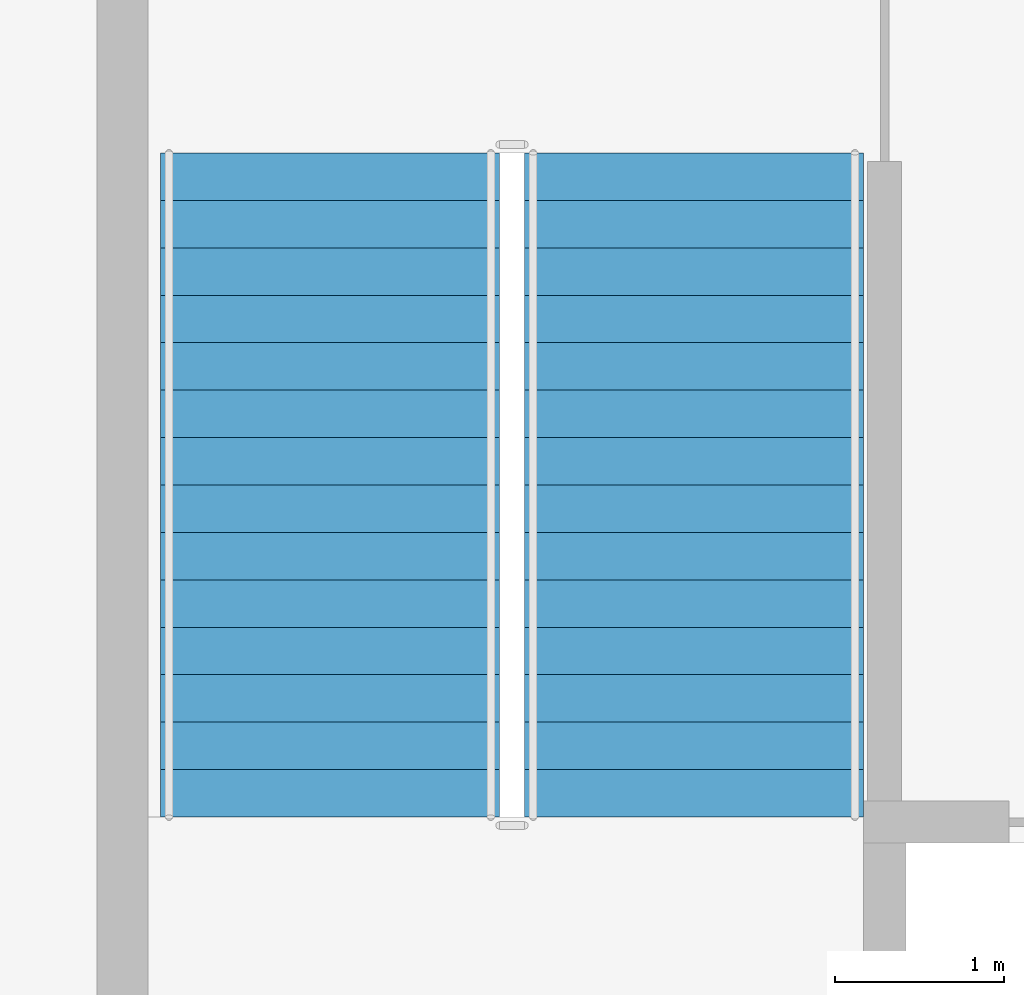
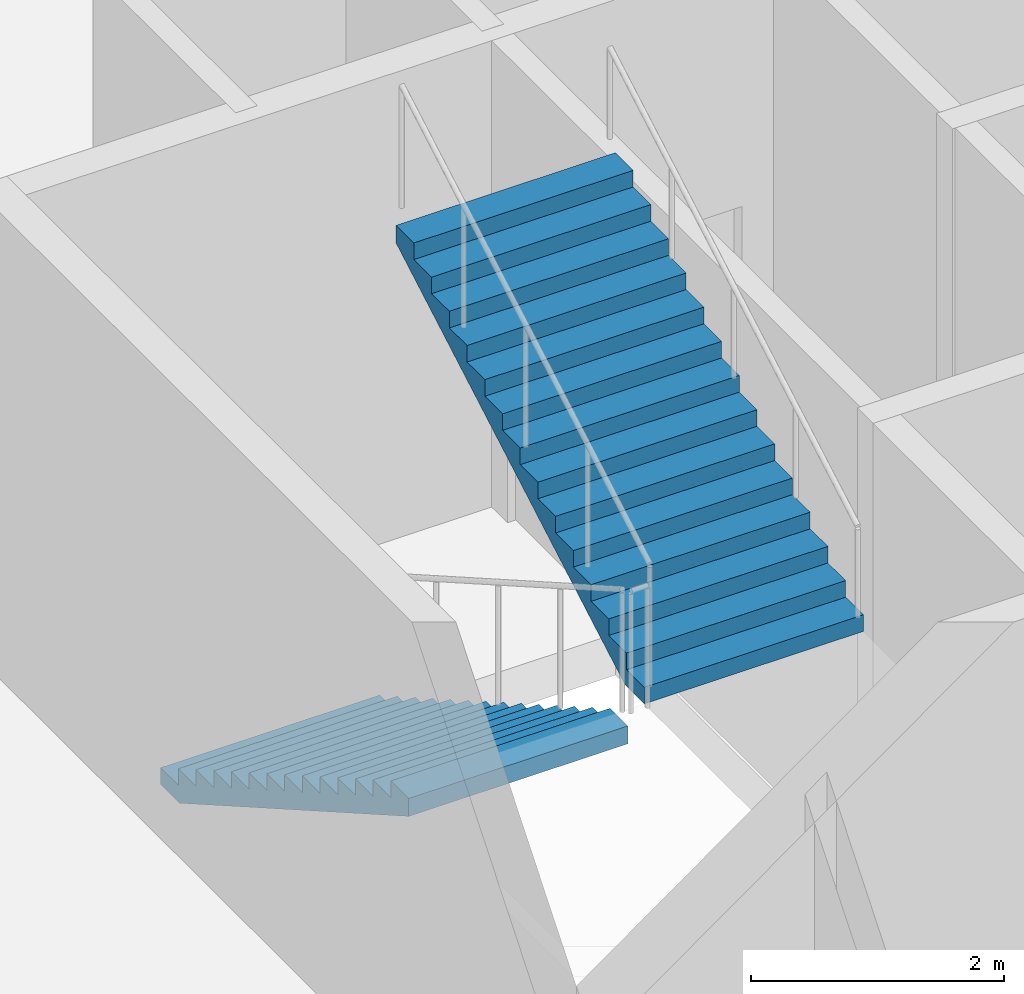
# One storey, part 5 of 10: 2 stair flights, 1 element without a shape of its own.
"""IFC4 building model written with IfcOpenShell, lengths in metres."""

from ifc_helpers import new_model, si_unit, direction, frame, origin, place, context, subcontext, project, spatial, polygons, material, type_object, element, aggregate, save


model = new_model("IFC4")

# Units and contexts
model_context = context("Model", 3, precision=1e-05, world=origin(), true_north=direction((0.0, 1.0)))
body_context = subcontext(model_context, "Body", "Model", "MODEL_VIEW")
ifc_project = project(units=[si_unit("LENGTHUNIT", "METRE"), si_unit("AREAUNIT", "SQUARE_METRE"), si_unit("VOLUMEUNIT", "CUBIC_METRE"), si_unit("PLANEANGLEUNIT", "RADIAN"), si_unit("MASSUNIT", "GRAM", prefix="KILO")], contexts=[model_context])

# Site, building, storey
site_placement = place(None, origin())
site = spatial("IfcSite", under=ifc_project, at=site_placement, CompositionType="ELEMENT")
building_placement = place(site_placement, origin())
building = spatial("IfcBuilding", under=site, at=building_placement, Name="Caravel Reach Hotel and Residences", CompositionType="ELEMENT")
storey_placement = place(building_placement, frame((0.0, 0.0, 233.10009765625)))
storey = spatial("IfcBuildingStorey", under=building, at=storey_placement, Name="L59", CompositionType="ELEMENT", Elevation=233.10009765625)

# Stair, stair flights
ifc_material_1 = material(Name="Concrete C40", Category="concrete")
stair_type = type_object("IfcStairType", Name="Core stair", PredefinedType="HALF_TURN_STAIR", material=ifc_material_1)
stair_placement = place(storey_placement, origin())
stair = element("IfcStair", 1, at=stair_placement, inside=storey, type_object=stair_type, Name="L59 Exit stair A", PredefinedType="HALF_TURN_STAIR")
ifc_material_2 = material(Name="Concrete C40", Category="concrete")
stair_flight_type = type_object("IfcStairFlightType", Name="Core stair flight", PredefinedType="STRAIGHT", material=ifc_material_2)
stair_flight_1_placement = place(storey_placement, frame((19.22509765625, 29.35009765625, 0.0), z_axis=(0.0, 0.0, 1.0), x_axis=(0.0, -1.0, 0.0)))
stair_flight_1 = element("IfcStairFlight", 2, at=stair_flight_1_placement, type_object=stair_flight_type, Name="ST-A flight 1", NumberOfRisers=15, NumberOfTreads=14, PredefinedType="STRAIGHT", RiserHeight=0.16, TreadLength=0.28, context=body_context, shape_type="Tessellation", body=[
    polygons([(0.30213783309663755, 1.0, 0.0), (0.30213783309663755, 0.6666666666666667, 0.0), (0.30213783309663755, 0.33333333333333337, 0.0), (0.30213783309663755, 0.0, 0.0), (0.30213783309663755, -0.33333333333333326, 0.0), (0.30213783309663755, -0.6666666666666667, 0.0), (0.30213783309663755, -1.0, 0.0), (3.9210000000000003, 1.0, 2.0673498096590643), (3.9210000000000003, 0.6666666666666667, 2.0673498096590643), (3.9210000000000003, 0.33333333333333337, 2.0673498096590643), (3.9210000000000003, 0.0, 2.0673498096590643), (3.9210000000000003, -0.33333333333333326, 2.0673498096590643), (3.9210000000000003, -0.6666666666666667, 2.0673498096590643), (3.9210000000000003, -1.0, 2.0673498096590643), (3.9210000000000003, 1.0, 2.24), (3.9210000000000003, 0.6666666666666667, 2.24), (3.9210000000000003, 0.33333333333333337, 2.24), (3.9210000000000003, 0.0, 2.24), (3.9210000000000003, -0.33333333333333326, 2.24), (3.9210000000000003, -0.6666666666666667, 2.24), (3.9210000000000003, -1.0, 2.24), (3.6400000000000006, 1.0, 2.24), (3.6400000000000006, 0.6666666666666667, 2.24), (3.6400000000000006, 0.33333333333333337, 2.24), (3.6400000000000006, 0.0, 2.24), (3.6400000000000006, -0.33333333333333326, 2.24), (3.6400000000000006, -0.6666666666666667, 2.24), (3.6400000000000006, -1.0, 2.24), (3.6400000000000006, 1.0, 2.08), (3.6400000000000006, 0.6666666666666667, 2.08), (3.6400000000000006, 0.33333333333333337, 2.08), (3.6400000000000006, 0.0, 2.08), (3.6400000000000006, -0.33333333333333326, 2.08), (3.6400000000000006, -0.6666666666666667, 2.08), (3.6400000000000006, -1.0, 2.08), (3.3600000000000003, 1.0, 2.08), (3.3600000000000003, 0.6666666666666667, 2.08), (3.3600000000000003, 0.33333333333333337, 2.08), (3.3600000000000003, 0.0, 2.08), (3.3600000000000003, -0.33333333333333326, 2.08), (3.3600000000000003, -0.6666666666666667, 2.08), (3.3600000000000003, -1.0, 2.08), (3.3600000000000003, 1.0, 1.92), (3.3600000000000003, 0.6666666666666667, 1.92), (3.3600000000000003, 0.33333333333333337, 1.92), (3.3600000000000003, 0.0, 1.92), (3.3600000000000003, -0.33333333333333326, 1.92), (3.3600000000000003, -0.6666666666666667, 1.92), (3.3600000000000003, -1.0, 1.92), (3.08, 1.0, 1.92), (3.08, 0.6666666666666667, 1.92), (3.08, 0.33333333333333337, 1.92), (3.08, 0.0, 1.92), (3.08, -0.33333333333333326, 1.92), (3.08, -0.6666666666666667, 1.92), (3.08, -1.0, 1.92), (3.08, 1.0, 1.76), (3.08, 0.6666666666666667, 1.76), (3.08, 0.33333333333333337, 1.76), (3.08, 0.0, 1.76), (3.08, -0.33333333333333326, 1.76), (3.08, -0.6666666666666667, 1.76), (3.08, -1.0, 1.76), (2.8000000000000003, 1.0, 1.76), (2.8000000000000003, 0.6666666666666667, 1.76), (2.8000000000000003, 0.33333333333333337, 1.76), (2.8000000000000003, 0.0, 1.76), (2.8000000000000003, -0.33333333333333326, 1.76), (2.8000000000000003, -0.6666666666666667, 1.76), (2.8000000000000003, -1.0, 1.76), (2.8000000000000003, 1.0, 1.6), (2.8000000000000003, 0.6666666666666667, 1.6), (2.8000000000000003, 0.33333333333333337, 1.6), (2.8000000000000003, 0.0, 1.6), (2.8000000000000003, -0.33333333333333326, 1.6), (2.8000000000000003, -0.6666666666666667, 1.6), (2.8000000000000003, -1.0, 1.6), (2.5200000000000005, 1.0, 1.6), (2.5200000000000005, 0.6666666666666667, 1.6), (2.5200000000000005, 0.33333333333333337, 1.6), (2.5200000000000005, 0.0, 1.6), (2.5200000000000005, -0.33333333333333326, 1.6), (2.5200000000000005, -0.6666666666666667, 1.6), (2.5200000000000005, -1.0, 1.6), (2.5200000000000005, 1.0, 1.44), (2.5200000000000005, 0.6666666666666667, 1.44), (2.5200000000000005, 0.33333333333333337, 1.44), (2.5200000000000005, 0.0, 1.44), (2.5200000000000005, -0.33333333333333326, 1.44), (2.5200000000000005, -0.6666666666666667, 1.44), (2.5200000000000005, -1.0, 1.44), (2.24, 1.0, 1.44), (2.24, 0.6666666666666667, 1.44), (2.24, 0.33333333333333337, 1.44), (2.24, 0.0, 1.44), (2.24, -0.33333333333333326, 1.44), (2.24, -0.6666666666666667, 1.44), (2.24, -1.0, 1.44), (2.24, 1.0, 1.28), (2.24, 0.6666666666666667, 1.28), (2.24, 0.33333333333333337, 1.28), (2.24, 0.0, 1.28), (2.24, -0.33333333333333326, 1.28), (2.24, -0.6666666666666667, 1.28), (2.24, -1.0, 1.28), (1.9600000000000002, 1.0, 1.28), (1.9600000000000002, 0.6666666666666667, 1.28), (1.9600000000000002, 0.33333333333333337, 1.28), (1.9600000000000002, 0.0, 1.28), (1.9600000000000002, -0.33333333333333326, 1.28), (1.9600000000000002, -0.6666666666666667, 1.28), (1.9600000000000002, -1.0, 1.28), (1.9600000000000002, 1.0, 1.12), (1.9600000000000002, 0.6666666666666667, 1.12), (1.9600000000000002, 0.33333333333333337, 1.12), (1.9600000000000002, 0.0, 1.12), (1.9600000000000002, -0.33333333333333326, 1.12), (1.9600000000000002, -0.6666666666666667, 1.12), (1.9600000000000002, -1.0, 1.12), (1.6800000000000002, 1.0, 1.12), (1.6800000000000002, 0.6666666666666667, 1.12), (1.6800000000000002, 0.33333333333333337, 1.12), (1.6800000000000002, 0.0, 1.12), (1.6800000000000002, -0.33333333333333326, 1.12), (1.6800000000000002, -0.6666666666666667, 1.12), (1.6800000000000002, -1.0, 1.12), (1.6800000000000002, 1.0, 0.96), (1.6800000000000002, 0.6666666666666667, 0.96), (1.6800000000000002, 0.33333333333333337, 0.96), (1.6800000000000002, 0.0, 0.96), (1.6800000000000002, -0.33333333333333326, 0.96), (1.6800000000000002, -0.6666666666666667, 0.96), (1.6800000000000002, -1.0, 0.96), (1.4000000000000001, 1.0, 0.96), (1.4000000000000001, 0.6666666666666667, 0.96), (1.4000000000000001, 0.33333333333333337, 0.96), (1.4000000000000001, 0.0, 0.96), (1.4000000000000001, -0.33333333333333326, 0.96), (1.4000000000000001, -0.6666666666666667, 0.96), (1.4000000000000001, -1.0, 0.96), (1.4000000000000001, 1.0, 0.8), (1.4000000000000001, 0.6666666666666667, 0.8), (1.4000000000000001, 0.33333333333333337, 0.8), (1.4000000000000001, 0.0, 0.8), (1.4000000000000001, -0.33333333333333326, 0.8), (1.4000000000000001, -0.6666666666666667, 0.8), (1.4000000000000001, -1.0, 0.8), (1.12, 1.0, 0.8), (1.12, 0.6666666666666667, 0.8), (1.12, 0.33333333333333337, 0.8), (1.12, 0.0, 0.8), (1.12, -0.33333333333333326, 0.8), (1.12, -0.6666666666666667, 0.8), (1.12, -1.0, 0.8), (1.12, 1.0, 0.64), (1.12, 0.6666666666666667, 0.64), (1.12, 0.33333333333333337, 0.64), (1.12, 0.0, 0.64), (1.12, -0.33333333333333326, 0.64), (1.12, -0.6666666666666667, 0.64), (1.12, -1.0, 0.64), (0.8400000000000001, 1.0, 0.64), (0.8400000000000001, 0.6666666666666667, 0.64), (0.8400000000000001, 0.33333333333333337, 0.64), (0.8400000000000001, 0.0, 0.64), (0.8400000000000001, -0.33333333333333326, 0.64), (0.8400000000000001, -0.6666666666666667, 0.64), (0.8400000000000001, -1.0, 0.64), (0.8400000000000001, 1.0, 0.48), (0.8400000000000001, 0.6666666666666667, 0.48), (0.8400000000000001, 0.33333333333333337, 0.48), (0.8400000000000001, 0.0, 0.48), (0.8400000000000001, -0.33333333333333326, 0.48), (0.8400000000000001, -0.6666666666666667, 0.48), (0.8400000000000001, -1.0, 0.48), (0.56, 1.0, 0.48), (0.56, 0.6666666666666667, 0.48), (0.56, 0.33333333333333337, 0.48), (0.56, 0.0, 0.48), (0.56, -0.33333333333333326, 0.48), (0.56, -0.6666666666666667, 0.48), (0.56, -1.0, 0.48), (0.56, 1.0, 0.32), (0.56, 0.6666666666666667, 0.32), (0.56, 0.33333333333333337, 0.32), (0.56, 0.0, 0.32), (0.56, -0.33333333333333326, 0.32), (0.56, -0.6666666666666667, 0.32), (0.56, -1.0, 0.32), (0.28, 1.0, 0.32), (0.28, 0.6666666666666667, 0.32), (0.28, 0.33333333333333337, 0.32), (0.28, 0.0, 0.32), (0.28, -0.33333333333333326, 0.32), (0.28, -0.6666666666666667, 0.32), (0.28, -1.0, 0.32), (0.28, 1.0, 0.16), (0.28, 0.6666666666666667, 0.16), (0.28, 0.33333333333333337, 0.16), (0.28, 0.0, 0.16), (0.28, -0.33333333333333326, 0.16), (0.28, -0.6666666666666667, 0.16), (0.28, -1.0, 0.16), (-0.001, 1.0, 0.16), (-0.001, 0.6666666666666667, 0.16), (-0.001, 0.33333333333333337, 0.16), (-0.001, 0.0, 0.16), (-0.001, -0.33333333333333326, 0.16), (-0.001, -0.6666666666666667, 0.16), (-0.001, -1.0, 0.16), (-0.001, 1.0, 0.0), (-0.001, 0.6666666666666667, 0.0), (-0.001, 0.33333333333333337, 0.0), (-0.001, 0.0, 0.0), (-0.001, -0.33333333333333326, 0.0), (-0.001, -0.6666666666666667, 0.0), (-0.001, -1.0, 0.0)], [[[211, 204, 197, 190, 183, 176, 169, 162, 155, 148, 141, 134, 127, 120, 113, 106, 99, 92, 85, 78, 71, 64, 57, 50, 43, 36, 29, 22, 15, 8, 1]], [[7, 14, 21, 28, 35, 42, 49, 56, 63, 70, 77, 84, 91, 98, 105, 112, 119, 126, 133, 140, 147, 154, 161, 168, 175, 182, 189, 196, 203, 210, 217]], [[1, 8, 9, 2]], [[2, 9, 10, 3]], [[3, 10, 11, 4]], [[4, 11, 12, 5]], [[5, 12, 13, 6]], [[6, 13, 14, 7]], [[8, 15, 16, 9]], [[9, 16, 17, 10]], [[10, 17, 18, 11]], [[11, 18, 19, 12]], [[12, 19, 20, 13]], [[13, 20, 21, 14]], [[15, 22, 23, 16]], [[16, 23, 24, 17]], [[17, 24, 25, 18]], [[18, 25, 26, 19]], [[19, 26, 27, 20]], [[20, 27, 28, 21]], [[22, 29, 30, 23]], [[23, 30, 31, 24]], [[24, 31, 32, 25]], [[25, 32, 33, 26]], [[26, 33, 34, 27]], [[27, 34, 35, 28]], [[29, 36, 37, 30]], [[30, 37, 38, 31]], [[31, 38, 39, 32]], [[32, 39, 40, 33]], [[33, 40, 41, 34]], [[34, 41, 42, 35]], [[36, 43, 44, 37]], [[37, 44, 45, 38]], [[38, 45, 46, 39]], [[39, 46, 47, 40]], [[40, 47, 48, 41]], [[41, 48, 49, 42]], [[43, 50, 51, 44]], [[44, 51, 52, 45]], [[45, 52, 53, 46]], [[46, 53, 54, 47]], [[47, 54, 55, 48]], [[48, 55, 56, 49]], [[50, 57, 58, 51]], [[51, 58, 59, 52]], [[52, 59, 60, 53]], [[53, 60, 61, 54]], [[54, 61, 62, 55]], [[55, 62, 63, 56]], [[57, 64, 65, 58]], [[58, 65, 66, 59]], [[59, 66, 67, 60]], [[60, 67, 68, 61]], [[61, 68, 69, 62]], [[62, 69, 70, 63]], [[64, 71, 72, 65]], [[65, 72, 73, 66]], [[66, 73, 74, 67]], [[67, 74, 75, 68]], [[68, 75, 76, 69]], [[69, 76, 77, 70]], [[71, 78, 79, 72]], [[72, 79, 80, 73]], [[73, 80, 81, 74]], [[74, 81, 82, 75]], [[75, 82, 83, 76]], [[76, 83, 84, 77]], [[78, 85, 86, 79]], [[79, 86, 87, 80]], [[80, 87, 88, 81]], [[81, 88, 89, 82]], [[82, 89, 90, 83]], [[83, 90, 91, 84]], [[85, 92, 93, 86]], [[86, 93, 94, 87]], [[87, 94, 95, 88]], [[88, 95, 96, 89]], [[89, 96, 97, 90]], [[90, 97, 98, 91]], [[92, 99, 100, 93]], [[93, 100, 101, 94]], [[94, 101, 102, 95]], [[95, 102, 103, 96]], [[96, 103, 104, 97]], [[97, 104, 105, 98]], [[99, 106, 107, 100]], [[100, 107, 108, 101]], [[101, 108, 109, 102]], [[102, 109, 110, 103]], [[103, 110, 111, 104]], [[104, 111, 112, 105]], [[106, 113, 114, 107]], [[107, 114, 115, 108]], [[108, 115, 116, 109]], [[109, 116, 117, 110]], [[110, 117, 118, 111]], [[111, 118, 119, 112]], [[113, 120, 121, 114]], [[114, 121, 122, 115]], [[115, 122, 123, 116]], [[116, 123, 124, 117]], [[117, 124, 125, 118]], [[118, 125, 126, 119]], [[120, 127, 128, 121]], [[121, 128, 129, 122]], [[122, 129, 130, 123]], [[123, 130, 131, 124]], [[124, 131, 132, 125]], [[125, 132, 133, 126]], [[127, 134, 135, 128]], [[128, 135, 136, 129]], [[129, 136, 137, 130]], [[130, 137, 138, 131]], [[131, 138, 139, 132]], [[132, 139, 140, 133]], [[134, 141, 142, 135]], [[135, 142, 143, 136]], [[136, 143, 144, 137]], [[137, 144, 145, 138]], [[138, 145, 146, 139]], [[139, 146, 147, 140]], [[141, 148, 149, 142]], [[142, 149, 150, 143]], [[143, 150, 151, 144]], [[144, 151, 152, 145]], [[145, 152, 153, 146]], [[146, 153, 154, 147]], [[148, 155, 156, 149]], [[149, 156, 157, 150]], [[150, 157, 158, 151]], [[151, 158, 159, 152]], [[152, 159, 160, 153]], [[153, 160, 161, 154]], [[155, 162, 163, 156]], [[156, 163, 164, 157]], [[157, 164, 165, 158]], [[158, 165, 166, 159]], [[159, 166, 167, 160]], [[160, 167, 168, 161]], [[162, 169, 170, 163]], [[163, 170, 171, 164]], [[164, 171, 172, 165]], [[165, 172, 173, 166]], [[166, 173, 174, 167]], [[167, 174, 175, 168]], [[169, 176, 177, 170]], [[170, 177, 178, 171]], [[171, 178, 179, 172]], [[172, 179, 180, 173]], [[173, 180, 181, 174]], [[174, 181, 182, 175]], [[176, 183, 184, 177]], [[177, 184, 185, 178]], [[178, 185, 186, 179]], [[179, 186, 187, 180]], [[180, 187, 188, 181]], [[181, 188, 189, 182]], [[183, 190, 191, 184]], [[184, 191, 192, 185]], [[185, 192, 193, 186]], [[186, 193, 194, 187]], [[187, 194, 195, 188]], [[188, 195, 196, 189]], [[190, 197, 198, 191]], [[191, 198, 199, 192]], [[192, 199, 200, 193]], [[193, 200, 201, 194]], [[194, 201, 202, 195]], [[195, 202, 203, 196]], [[197, 204, 205, 198]], [[198, 205, 206, 199]], [[199, 206, 207, 200]], [[200, 207, 208, 201]], [[201, 208, 209, 202]], [[202, 209, 210, 203]], [[204, 211, 212, 205]], [[205, 212, 213, 206]], [[206, 213, 214, 207]], [[207, 214, 215, 208]], [[208, 215, 216, 209]], [[209, 216, 217, 210]], [[211, 1, 2, 212]], [[212, 2, 3, 213]], [[213, 3, 4, 214]], [[214, 4, 5, 215]], [[215, 5, 6, 216]], [[216, 6, 7, 217]]], closed=True),
])
stair_flight_2_placement = place(storey_placement, frame((21.375, 25.429931640625, 2.39990234375), z_axis=(0.0, 0.0, 1.0), x_axis=(0.0, 1.0, 0.0)))
stair_flight_2 = element("IfcStairFlight", 3, at=stair_flight_2_placement, type_object=stair_flight_type, Name="ST-A flight 2", NumberOfRisers=15, NumberOfTreads=14, PredefinedType="STRAIGHT", RiserHeight=0.16, TreadLength=0.28, context=body_context, shape_type="Tessellation", body=[
    polygons([(0.30213783309663755, 1.0, 0.0), (0.30213783309663755, 0.6666666666666667, 0.0), (0.30213783309663755, 0.33333333333333337, 0.0), (0.30213783309663755, 0.0, 0.0), (0.30213783309663755, -0.33333333333333326, 0.0), (0.30213783309663755, -0.6666666666666667, 0.0), (0.30213783309663755, -1.0, 0.0), (3.9210000000000003, 1.0, 2.0673498096590643), (3.9210000000000003, 0.6666666666666667, 2.0673498096590643), (3.9210000000000003, 0.33333333333333337, 2.0673498096590643), (3.9210000000000003, 0.0, 2.0673498096590643), (3.9210000000000003, -0.33333333333333326, 2.0673498096590643), (3.9210000000000003, -0.6666666666666667, 2.0673498096590643), (3.9210000000000003, -1.0, 2.0673498096590643), (3.9210000000000003, 1.0, 2.24), (3.9210000000000003, 0.6666666666666667, 2.24), (3.9210000000000003, 0.33333333333333337, 2.24), (3.9210000000000003, 0.0, 2.24), (3.9210000000000003, -0.33333333333333326, 2.24), (3.9210000000000003, -0.6666666666666667, 2.24), (3.9210000000000003, -1.0, 2.24), (3.6400000000000006, 1.0, 2.24), (3.6400000000000006, 0.6666666666666667, 2.24), (3.6400000000000006, 0.33333333333333337, 2.24), (3.6400000000000006, 0.0, 2.24), (3.6400000000000006, -0.33333333333333326, 2.24), (3.6400000000000006, -0.6666666666666667, 2.24), (3.6400000000000006, -1.0, 2.24), (3.6400000000000006, 1.0, 2.08), (3.6400000000000006, 0.6666666666666667, 2.08), (3.6400000000000006, 0.33333333333333337, 2.08), (3.6400000000000006, 0.0, 2.08), (3.6400000000000006, -0.33333333333333326, 2.08), (3.6400000000000006, -0.6666666666666667, 2.08), (3.6400000000000006, -1.0, 2.08), (3.3600000000000003, 1.0, 2.08), (3.3600000000000003, 0.6666666666666667, 2.08), (3.3600000000000003, 0.33333333333333337, 2.08), (3.3600000000000003, 0.0, 2.08), (3.3600000000000003, -0.33333333333333326, 2.08), (3.3600000000000003, -0.6666666666666667, 2.08), (3.3600000000000003, -1.0, 2.08), (3.3600000000000003, 1.0, 1.92), (3.3600000000000003, 0.6666666666666667, 1.92), (3.3600000000000003, 0.33333333333333337, 1.92), (3.3600000000000003, 0.0, 1.92), (3.3600000000000003, -0.33333333333333326, 1.92), (3.3600000000000003, -0.6666666666666667, 1.92), (3.3600000000000003, -1.0, 1.92), (3.08, 1.0, 1.92), (3.08, 0.6666666666666667, 1.92), (3.08, 0.33333333333333337, 1.92), (3.08, 0.0, 1.92), (3.08, -0.33333333333333326, 1.92), (3.08, -0.6666666666666667, 1.92), (3.08, -1.0, 1.92), (3.08, 1.0, 1.76), (3.08, 0.6666666666666667, 1.76), (3.08, 0.33333333333333337, 1.76), (3.08, 0.0, 1.76), (3.08, -0.33333333333333326, 1.76), (3.08, -0.6666666666666667, 1.76), (3.08, -1.0, 1.76), (2.8000000000000003, 1.0, 1.76), (2.8000000000000003, 0.6666666666666667, 1.76), (2.8000000000000003, 0.33333333333333337, 1.76), (2.8000000000000003, 0.0, 1.76), (2.8000000000000003, -0.33333333333333326, 1.76), (2.8000000000000003, -0.6666666666666667, 1.76), (2.8000000000000003, -1.0, 1.76), (2.8000000000000003, 1.0, 1.6), (2.8000000000000003, 0.6666666666666667, 1.6), (2.8000000000000003, 0.33333333333333337, 1.6), (2.8000000000000003, 0.0, 1.6), (2.8000000000000003, -0.33333333333333326, 1.6), (2.8000000000000003, -0.6666666666666667, 1.6), (2.8000000000000003, -1.0, 1.6), (2.5200000000000005, 1.0, 1.6), (2.5200000000000005, 0.6666666666666667, 1.6), (2.5200000000000005, 0.33333333333333337, 1.6), (2.5200000000000005, 0.0, 1.6), (2.5200000000000005, -0.33333333333333326, 1.6), (2.5200000000000005, -0.6666666666666667, 1.6), (2.5200000000000005, -1.0, 1.6), (2.5200000000000005, 1.0, 1.44), (2.5200000000000005, 0.6666666666666667, 1.44), (2.5200000000000005, 0.33333333333333337, 1.44), (2.5200000000000005, 0.0, 1.44), (2.5200000000000005, -0.33333333333333326, 1.44), (2.5200000000000005, -0.6666666666666667, 1.44), (2.5200000000000005, -1.0, 1.44), (2.24, 1.0, 1.44), (2.24, 0.6666666666666667, 1.44), (2.24, 0.33333333333333337, 1.44), (2.24, 0.0, 1.44), (2.24, -0.33333333333333326, 1.44), (2.24, -0.6666666666666667, 1.44), (2.24, -1.0, 1.44), (2.24, 1.0, 1.28), (2.24, 0.6666666666666667, 1.28), (2.24, 0.33333333333333337, 1.28), (2.24, 0.0, 1.28), (2.24, -0.33333333333333326, 1.28), (2.24, -0.6666666666666667, 1.28), (2.24, -1.0, 1.28), (1.9600000000000002, 1.0, 1.28), (1.9600000000000002, 0.6666666666666667, 1.28), (1.9600000000000002, 0.33333333333333337, 1.28), (1.9600000000000002, 0.0, 1.28), (1.9600000000000002, -0.33333333333333326, 1.28), (1.9600000000000002, -0.6666666666666667, 1.28), (1.9600000000000002, -1.0, 1.28), (1.9600000000000002, 1.0, 1.12), (1.9600000000000002, 0.6666666666666667, 1.12), (1.9600000000000002, 0.33333333333333337, 1.12), (1.9600000000000002, 0.0, 1.12), (1.9600000000000002, -0.33333333333333326, 1.12), (1.9600000000000002, -0.6666666666666667, 1.12), (1.9600000000000002, -1.0, 1.12), (1.6800000000000002, 1.0, 1.12), (1.6800000000000002, 0.6666666666666667, 1.12), (1.6800000000000002, 0.33333333333333337, 1.12), (1.6800000000000002, 0.0, 1.12), (1.6800000000000002, -0.33333333333333326, 1.12), (1.6800000000000002, -0.6666666666666667, 1.12), (1.6800000000000002, -1.0, 1.12), (1.6800000000000002, 1.0, 0.96), (1.6800000000000002, 0.6666666666666667, 0.96), (1.6800000000000002, 0.33333333333333337, 0.96), (1.6800000000000002, 0.0, 0.96), (1.6800000000000002, -0.33333333333333326, 0.96), (1.6800000000000002, -0.6666666666666667, 0.96), (1.6800000000000002, -1.0, 0.96), (1.4000000000000001, 1.0, 0.96), (1.4000000000000001, 0.6666666666666667, 0.96), (1.4000000000000001, 0.33333333333333337, 0.96), (1.4000000000000001, 0.0, 0.96), (1.4000000000000001, -0.33333333333333326, 0.96), (1.4000000000000001, -0.6666666666666667, 0.96), (1.4000000000000001, -1.0, 0.96), (1.4000000000000001, 1.0, 0.8), (1.4000000000000001, 0.6666666666666667, 0.8), (1.4000000000000001, 0.33333333333333337, 0.8), (1.4000000000000001, 0.0, 0.8), (1.4000000000000001, -0.33333333333333326, 0.8), (1.4000000000000001, -0.6666666666666667, 0.8), (1.4000000000000001, -1.0, 0.8), (1.12, 1.0, 0.8), (1.12, 0.6666666666666667, 0.8), (1.12, 0.33333333333333337, 0.8), (1.12, 0.0, 0.8), (1.12, -0.33333333333333326, 0.8), (1.12, -0.6666666666666667, 0.8), (1.12, -1.0, 0.8), (1.12, 1.0, 0.64), (1.12, 0.6666666666666667, 0.64), (1.12, 0.33333333333333337, 0.64), (1.12, 0.0, 0.64), (1.12, -0.33333333333333326, 0.64), (1.12, -0.6666666666666667, 0.64), (1.12, -1.0, 0.64), (0.8400000000000001, 1.0, 0.64), (0.8400000000000001, 0.6666666666666667, 0.64), (0.8400000000000001, 0.33333333333333337, 0.64), (0.8400000000000001, 0.0, 0.64), (0.8400000000000001, -0.33333333333333326, 0.64), (0.8400000000000001, -0.6666666666666667, 0.64), (0.8400000000000001, -1.0, 0.64), (0.8400000000000001, 1.0, 0.48), (0.8400000000000001, 0.6666666666666667, 0.48), (0.8400000000000001, 0.33333333333333337, 0.48), (0.8400000000000001, 0.0, 0.48), (0.8400000000000001, -0.33333333333333326, 0.48), (0.8400000000000001, -0.6666666666666667, 0.48), (0.8400000000000001, -1.0, 0.48), (0.56, 1.0, 0.48), (0.56, 0.6666666666666667, 0.48), (0.56, 0.33333333333333337, 0.48), (0.56, 0.0, 0.48), (0.56, -0.33333333333333326, 0.48), (0.56, -0.6666666666666667, 0.48), (0.56, -1.0, 0.48), (0.56, 1.0, 0.32), (0.56, 0.6666666666666667, 0.32), (0.56, 0.33333333333333337, 0.32), (0.56, 0.0, 0.32), (0.56, -0.33333333333333326, 0.32), (0.56, -0.6666666666666667, 0.32), (0.56, -1.0, 0.32), (0.28, 1.0, 0.32), (0.28, 0.6666666666666667, 0.32), (0.28, 0.33333333333333337, 0.32), (0.28, 0.0, 0.32), (0.28, -0.33333333333333326, 0.32), (0.28, -0.6666666666666667, 0.32), (0.28, -1.0, 0.32), (0.28, 1.0, 0.16), (0.28, 0.6666666666666667, 0.16), (0.28, 0.33333333333333337, 0.16), (0.28, 0.0, 0.16), (0.28, -0.33333333333333326, 0.16), (0.28, -0.6666666666666667, 0.16), (0.28, -1.0, 0.16), (-0.001, 1.0, 0.16), (-0.001, 0.6666666666666667, 0.16), (-0.001, 0.33333333333333337, 0.16), (-0.001, 0.0, 0.16), (-0.001, -0.33333333333333326, 0.16), (-0.001, -0.6666666666666667, 0.16), (-0.001, -1.0, 0.16), (-0.001, 1.0, 0.0), (-0.001, 0.6666666666666667, 0.0), (-0.001, 0.33333333333333337, 0.0), (-0.001, 0.0, 0.0), (-0.001, -0.33333333333333326, 0.0), (-0.001, -0.6666666666666667, 0.0), (-0.001, -1.0, 0.0)], [[[211, 204, 197, 190, 183, 176, 169, 162, 155, 148, 141, 134, 127, 120, 113, 106, 99, 92, 85, 78, 71, 64, 57, 50, 43, 36, 29, 22, 15, 8, 1]], [[7, 14, 21, 28, 35, 42, 49, 56, 63, 70, 77, 84, 91, 98, 105, 112, 119, 126, 133, 140, 147, 154, 161, 168, 175, 182, 189, 196, 203, 210, 217]], [[1, 8, 9, 2]], [[2, 9, 10, 3]], [[3, 10, 11, 4]], [[4, 11, 12, 5]], [[5, 12, 13, 6]], [[6, 13, 14, 7]], [[8, 15, 16, 9]], [[9, 16, 17, 10]], [[10, 17, 18, 11]], [[11, 18, 19, 12]], [[12, 19, 20, 13]], [[13, 20, 21, 14]], [[15, 22, 23, 16]], [[16, 23, 24, 17]], [[17, 24, 25, 18]], [[18, 25, 26, 19]], [[19, 26, 27, 20]], [[20, 27, 28, 21]], [[22, 29, 30, 23]], [[23, 30, 31, 24]], [[24, 31, 32, 25]], [[25, 32, 33, 26]], [[26, 33, 34, 27]], [[27, 34, 35, 28]], [[29, 36, 37, 30]], [[30, 37, 38, 31]], [[31, 38, 39, 32]], [[32, 39, 40, 33]], [[33, 40, 41, 34]], [[34, 41, 42, 35]], [[36, 43, 44, 37]], [[37, 44, 45, 38]], [[38, 45, 46, 39]], [[39, 46, 47, 40]], [[40, 47, 48, 41]], [[41, 48, 49, 42]], [[43, 50, 51, 44]], [[44, 51, 52, 45]], [[45, 52, 53, 46]], [[46, 53, 54, 47]], [[47, 54, 55, 48]], [[48, 55, 56, 49]], [[50, 57, 58, 51]], [[51, 58, 59, 52]], [[52, 59, 60, 53]], [[53, 60, 61, 54]], [[54, 61, 62, 55]], [[55, 62, 63, 56]], [[57, 64, 65, 58]], [[58, 65, 66, 59]], [[59, 66, 67, 60]], [[60, 67, 68, 61]], [[61, 68, 69, 62]], [[62, 69, 70, 63]], [[64, 71, 72, 65]], [[65, 72, 73, 66]], [[66, 73, 74, 67]], [[67, 74, 75, 68]], [[68, 75, 76, 69]], [[69, 76, 77, 70]], [[71, 78, 79, 72]], [[72, 79, 80, 73]], [[73, 80, 81, 74]], [[74, 81, 82, 75]], [[75, 82, 83, 76]], [[76, 83, 84, 77]], [[78, 85, 86, 79]], [[79, 86, 87, 80]], [[80, 87, 88, 81]], [[81, 88, 89, 82]], [[82, 89, 90, 83]], [[83, 90, 91, 84]], [[85, 92, 93, 86]], [[86, 93, 94, 87]], [[87, 94, 95, 88]], [[88, 95, 96, 89]], [[89, 96, 97, 90]], [[90, 97, 98, 91]], [[92, 99, 100, 93]], [[93, 100, 101, 94]], [[94, 101, 102, 95]], [[95, 102, 103, 96]], [[96, 103, 104, 97]], [[97, 104, 105, 98]], [[99, 106, 107, 100]], [[100, 107, 108, 101]], [[101, 108, 109, 102]], [[102, 109, 110, 103]], [[103, 110, 111, 104]], [[104, 111, 112, 105]], [[106, 113, 114, 107]], [[107, 114, 115, 108]], [[108, 115, 116, 109]], [[109, 116, 117, 110]], [[110, 117, 118, 111]], [[111, 118, 119, 112]], [[113, 120, 121, 114]], [[114, 121, 122, 115]], [[115, 122, 123, 116]], [[116, 123, 124, 117]], [[117, 124, 125, 118]], [[118, 125, 126, 119]], [[120, 127, 128, 121]], [[121, 128, 129, 122]], [[122, 129, 130, 123]], [[123, 130, 131, 124]], [[124, 131, 132, 125]], [[125, 132, 133, 126]], [[127, 134, 135, 128]], [[128, 135, 136, 129]], [[129, 136, 137, 130]], [[130, 137, 138, 131]], [[131, 138, 139, 132]], [[132, 139, 140, 133]], [[134, 141, 142, 135]], [[135, 142, 143, 136]], [[136, 143, 144, 137]], [[137, 144, 145, 138]], [[138, 145, 146, 139]], [[139, 146, 147, 140]], [[141, 148, 149, 142]], [[142, 149, 150, 143]], [[143, 150, 151, 144]], [[144, 151, 152, 145]], [[145, 152, 153, 146]], [[146, 153, 154, 147]], [[148, 155, 156, 149]], [[149, 156, 157, 150]], [[150, 157, 158, 151]], [[151, 158, 159, 152]], [[152, 159, 160, 153]], [[153, 160, 161, 154]], [[155, 162, 163, 156]], [[156, 163, 164, 157]], [[157, 164, 165, 158]], [[158, 165, 166, 159]], [[159, 166, 167, 160]], [[160, 167, 168, 161]], [[162, 169, 170, 163]], [[163, 170, 171, 164]], [[164, 171, 172, 165]], [[165, 172, 173, 166]], [[166, 173, 174, 167]], [[167, 174, 175, 168]], [[169, 176, 177, 170]], [[170, 177, 178, 171]], [[171, 178, 179, 172]], [[172, 179, 180, 173]], [[173, 180, 181, 174]], [[174, 181, 182, 175]], [[176, 183, 184, 177]], [[177, 184, 185, 178]], [[178, 185, 186, 179]], [[179, 186, 187, 180]], [[180, 187, 188, 181]], [[181, 188, 189, 182]], [[183, 190, 191, 184]], [[184, 191, 192, 185]], [[185, 192, 193, 186]], [[186, 193, 194, 187]], [[187, 194, 195, 188]], [[188, 195, 196, 189]], [[190, 197, 198, 191]], [[191, 198, 199, 192]], [[192, 199, 200, 193]], [[193, 200, 201, 194]], [[194, 201, 202, 195]], [[195, 202, 203, 196]], [[197, 204, 205, 198]], [[198, 205, 206, 199]], [[199, 206, 207, 200]], [[200, 207, 208, 201]], [[201, 208, 209, 202]], [[202, 209, 210, 203]], [[204, 211, 212, 205]], [[205, 212, 213, 206]], [[206, 213, 214, 207]], [[207, 214, 215, 208]], [[208, 215, 216, 209]], [[209, 216, 217, 210]], [[211, 1, 2, 212]], [[212, 2, 3, 213]], [[213, 3, 4, 214]], [[214, 4, 5, 215]], [[215, 5, 6, 216]], [[216, 6, 7, 217]]], closed=True),
])
aggregate(stair, [stair_flight_1, stair_flight_2])

save(model, "model.ifc")
